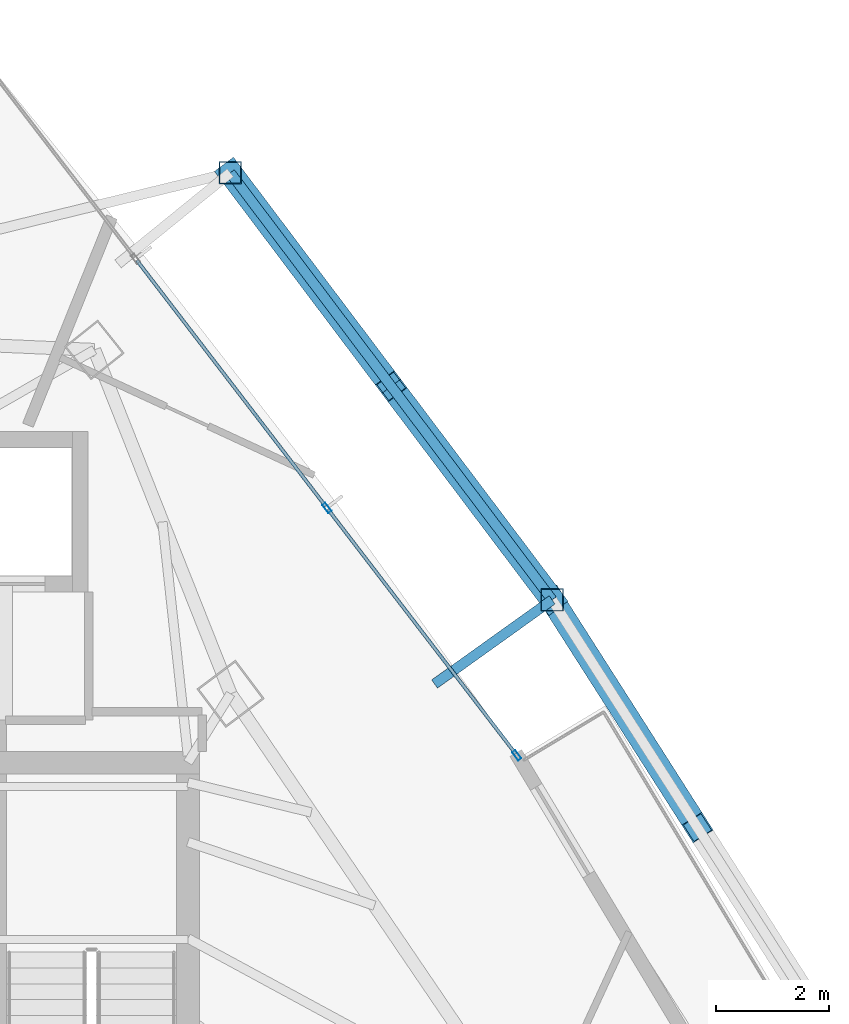
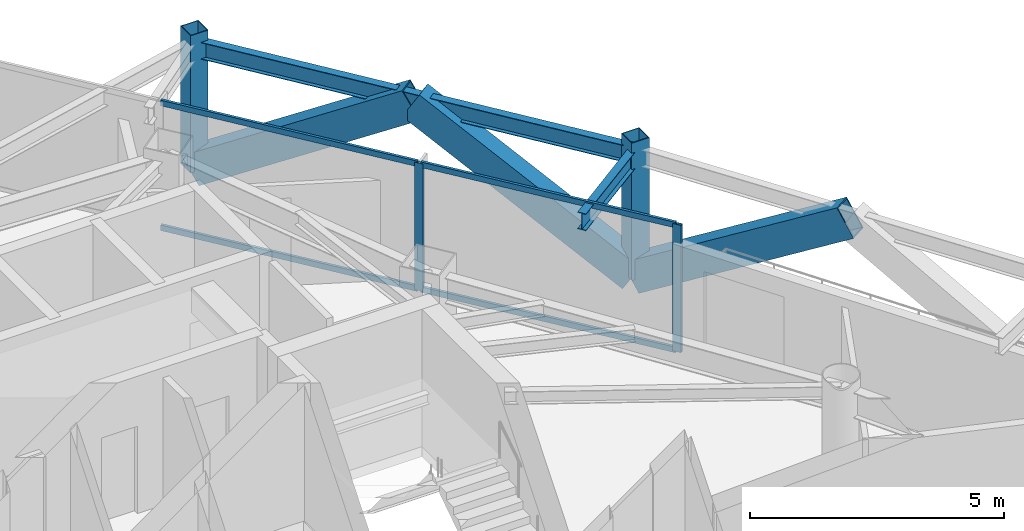
# One storey, part 25 of 31: 11 members, 2 beams, 1 element without a shape of its own.
"""IFC4 building model written with IfcOpenShell, lengths in metres."""

from ifc_helpers import new_model, si_unit, direction, frame, origin, origin_2d, place, context, subcontext, project, spatial, hollow_rectangle, i_section, extrude, material, layer, layer_set, material_profile, profile_set, type_object, element, aggregate, save


model = new_model("IFC4")

# Units and contexts
model_context = context("Model", 3, precision=1e-05, world=origin(), true_north=direction((0.0, 1.0)))
body_context = subcontext(model_context, "Body", "Model", "MODEL_VIEW")
ifc_project = project(units=[si_unit("LENGTHUNIT", "METRE"), si_unit("AREAUNIT", "SQUARE_METRE"), si_unit("VOLUMEUNIT", "CUBIC_METRE"), si_unit("PLANEANGLEUNIT", "RADIAN"), si_unit("MASSUNIT", "GRAM", prefix="KILO")], contexts=[model_context])

# Site, building, storey
site_placement = place(None, origin())
site = spatial("IfcSite", under=ifc_project, at=site_placement, CompositionType="ELEMENT")
building_placement = place(site_placement, origin())
building = spatial("IfcBuilding", under=site, at=building_placement, Name="Orvanel Arch Residences", CompositionType="ELEMENT")
storey_placement = place(building_placement, frame((0.0, 0.0, 150.64990234375)))
storey = spatial("IfcBuildingStorey", under=building, at=storey_placement, Name="L42", CompositionType="ELEMENT", Elevation=150.64990234375)

# Members
ifc_material_1 = material(Name="Structural steel AS/NZS 3678 Grade 350", Category="steel")
ifc_material_profile_1 = material_profile(ifc_material_1, hollow_rectangle(XDim=0.419921875, YDim=0.719970703125, WallThickness=0.02490234375, at=origin_2d()), Name="RHS720x420x25")
ifc_profile_set_1 = profile_set([ifc_material_profile_1], Name="Structural steel AS/NZS 3678 Grade 350")
member_type_1 = type_object("IfcMemberType", Name="BR-720RHS-EXT", PredefinedType="BRACE", material=ifc_profile_set_1)
member_1_placement = place(storey_placement, frame((46.02294921875, 36.77001953125, 0.0), z_axis=(0.461357757736, -0.722931521695, 0.51431413972), x_axis=(0.842968687268, 0.537962630938, 0.0)))
element("IfcMember", 1, at=member_1_placement, inside=storey, type_object=member_type_1, Name="L42 Exterior Sky-Garden V-Frame Chevron F3B2.2", PredefinedType="BRACE", context=body_context, shape_type="SweptSolid", body=[
    extrude(hollow_rectangle(XDim=0.419921875, YDim=0.719970703125, WallThickness=0.02490234375, at=origin_2d()), origin(), (0.0, 0.0, 1.0), 5.555419921875),
])
member_2_placement = place(storey_placement, frame((46.02294921875, 36.77001953125, 0.0), z_axis=(-0.51471522854, 0.683024982813, 0.518213379181), x_axis=(-0.798624840007, -0.601829182512, 0.0)))
element("IfcMember", 2, at=member_2_placement, inside=storey, type_object=member_type_1, Name="L42 Exterior Sky-Garden V-Frame Chevron F3B3.1", PredefinedType="BRACE", context=body_context, shape_type="SweptSolid", body=[
    extrude(hollow_rectangle(XDim=0.419921875, YDim=0.719970703125, WallThickness=0.02490234375, at=origin_2d()), origin(), (0.0, 0.0, 1.0), 5.513427734375),
])
member_3_placement = place(storey_placement, frame((40.346923828125, 44.302001953125, 0.0), z_axis=(0.514732209098, -0.683033037209, 0.518185896179), x_axis=(0.798618708351, 0.601837319109, 0.0)))
element("IfcMember", 3, at=member_3_placement, inside=storey, type_object=member_type_1, Name="L42 Exterior Sky-Garden V-Frame Chevron F3B3.2", PredefinedType="BRACE", context=body_context, shape_type="SweptSolid", body=[
    extrude(hollow_rectangle(XDim=0.419921875, YDim=0.719970703125, WallThickness=0.02490234375, at=origin_2d()), origin(), (0.0, 0.0, 1.0), 5.513916015625),
])

# Curtain wall, members
ifc_material_2 = material(Name="Bronze-anodised aluminium AA6063-T6", Category="aluminium")
ifc_layer = layer(ifc_material_2, 0.179931640625)
ifc_layer_set = layer_set([ifc_layer], Name="Bronze-anodised aluminium AA6063-T6")
curtain_wall_type = type_object("IfcCurtainWallType", Name="CW3-MID-SYS", PredefinedType="NOTDEFINED", material=ifc_layer_set)
curtain_wall_placement = place(storey_placement, origin())
curtain_wall = element("IfcCurtainWall", 4, at=curtain_wall_placement, inside=storey, type_object=curtain_wall_type, Name="L42 CW3-MID-SYS Unitised Curtain Wall", PredefinedType="NOTDEFINED")
ifc_material_profile_2 = material_profile(ifc_material_2, hollow_rectangle(XDim=0.070068359375, YDim=0.179931640625, WallThickness=0.00439453125, at=origin_2d()), Name="ALU180x70x4.5")
ifc_profile_set_2 = profile_set([ifc_material_profile_2], Name="Bronze-anodised aluminium AA6063-T6")
member_type_2 = type_object("IfcMemberType", Name="MUL-180x70", PredefinedType="MULLION", material=ifc_profile_set_2)
member_4_placement = place(storey_placement, frame((45.399658203125, 34.02880859375, 0.0), z_axis=(0.0, 0.0, 1.0), x_axis=(-0.793223434489, -0.608930688155, 0.0)))
member_4 = element("IfcMember", 5, at=member_4_placement, type_object=member_type_2, Name="CW-S3 mullion 1", PredefinedType="MULLION", context=body_context, shape_type="SweptSolid", body=[
    extrude(hollow_rectangle(XDim=0.070068359375, YDim=0.179931640625, WallThickness=0.00439453125, at=origin_2d()), origin(), (0.0, 0.0, 1.0), 3.06005859375),
])
member_5_placement = place(storey_placement, frame((42.049560546875, 38.392578125, 0.0), z_axis=(0.0, 0.0, 1.0), x_axis=(-0.793223434489, -0.608930688155, 0.0)))
member_5 = element("IfcMember", 6, at=member_5_placement, type_object=member_type_2, Name="CW-S3 mullion 2", PredefinedType="MULLION", context=body_context, shape_type="SweptSolid", body=[
    extrude(hollow_rectangle(XDim=0.070068359375, YDim=0.179931640625, WallThickness=0.00439453125, at=origin_2d()), origin(), (0.0, 0.0, 1.0), 3.06005859375),
])

# Beams
ifc_material_3 = material(Name="Structural steel AS/NZS 3679.1 Grade 300 (300 MPa)", Category="steel")
ifc_material_profile_3 = material_profile(ifc_material_3, i_section(OverallWidth=0.177978515625, OverallDepth=0.406005859375, WebThickness=0.0078125, FlangeThickness=0.0126953125, at=origin_2d()), Name="410UB59.7")
ifc_profile_set_3 = profile_set([ifc_material_profile_3], Name="Structural steel AS/NZS 3679.1 Grade 300 (300 MPa)")
beam_type = type_object("IfcBeamType", Name="OB-410UB-EXT", PredefinedType="SPANDREL", material=ifc_profile_set_3)
beam_1_placement = place(storey_placement, frame((43.948974609375, 35.285888671875, 2.857177734375), z_axis=(0.813228640258, 0.581944308903, 0.0), x_axis=(-0.581944308903, 0.813228640258, 0.0)))
element("IfcBeam", 7, at=beam_1_placement, inside=storey, type_object=beam_type, Name="L42 Outer Frame Radial Tie Beam 11", PredefinedType="SPANDREL", context=body_context, shape_type="SweptSolid", body=[
    extrude(i_section(OverallWidth=0.177978515625, OverallDepth=0.406005859375, WebThickness=0.0078125, FlangeThickness=0.0126953125, at=origin_2d()), origin(), (0.0, 0.0, 1.0), 2.55029296875),
])
beam_2_placement = place(storey_placement, frame((46.02294921875, 36.77001953125, 2.857177734375), z_axis=(-0.601833250966, 0.798621774078, 0.0), x_axis=(-0.798621774078, -0.601833250966, 0.0)))
element("IfcBeam", 8, at=beam_2_placement, inside=storey, type_object=beam_type, Name="L42 Outer Perimeter Floor Ring Beam 11", PredefinedType="SPANDREL", context=body_context, shape_type="SweptSolid", body=[
    extrude(i_section(OverallWidth=0.177978515625, OverallDepth=0.406005859375, WebThickness=0.0078125, FlangeThickness=0.0126953125, at=origin_2d()), origin(), (0.0, 0.0, 1.0), 9.43115234375),
])

# Members
ifc_material_4 = material(Name="Structural steel AS/NZS 1163 C450L0 (Grade 450)", Category="steel")
ifc_material_profile_4 = material_profile(ifc_material_4, hollow_rectangle(XDim=0.39990234375, YDim=0.39990234375, WallThickness=0.01611328125, at=origin_2d()), Name="SHS400x400x16")
ifc_profile_set_4 = profile_set([ifc_material_profile_4], Name="Structural steel AS/NZS 1163 C450L0 (Grade 450)")
member_type_3 = type_object("IfcMemberType", Name="ST-400SHS-EXT", PredefinedType="STRUT", material=ifc_profile_set_4)
for number, where, z_axis, x_axis, name in (
    (9, (46.02294921875, 36.77001953125, 0.0), (0.0, 0.0, 1.0), (1.0, 0.0, 0.0), "L42 Outer Perimeter Frame Post 11"),
    (10, (40.346923828125, 44.302001953125, 0.0), (0.0, 0.0, 1.0), (1.0, 0.0, 0.0), "L42 Outer Perimeter Frame Post 12"),
):
    element("IfcMember", number, at=place(storey_placement, frame(where, z_axis=z_axis, x_axis=x_axis)), inside=storey, type_object=member_type_3, Name=name, PredefinedType="STRUT", context=body_context, shape_type="SweptSolid", body=[
        extrude(hollow_rectangle(XDim=0.39990234375, YDim=0.39990234375, WallThickness=0.01611328125, at=origin_2d()), origin(), (0.0, 0.0, 1.0), 3.300048828125),
    ])

# Member
ifc_material_profile_5 = material_profile(ifc_material_2, hollow_rectangle(XDim=0.06005859375, YDim=0.135009765625, WallThickness=0.00390625, at=origin_2d()), Name="ALU135x60x4")
ifc_profile_set_5 = profile_set([ifc_material_profile_5], Name="Bronze-anodised aluminium AA6063-T6")
member_type_4 = type_object("IfcMemberType", Name="TRN-135x60", PredefinedType="USERDEFINED", material=ifc_profile_set_5)
member_6_placement = place(storey_placement, frame((45.37841796875, 34.056640625, 0.030029296875), z_axis=(-0.608930617314, 0.793223488871, 0.0), x_axis=(-0.793223488871, -0.608930617314, 0.0)))
member_6 = element("IfcMember", 11, at=member_6_placement, type_object=member_type_4, Name="CW-S3 transom 1.1", ObjectType="TRANSOM", PredefinedType="USERDEFINED", context=body_context, shape_type="SweptSolid", body=[
    extrude(hollow_rectangle(XDim=0.06005859375, YDim=0.135009765625, WallThickness=0.00390625, at=origin_2d()), origin(), (0.0, 0.0, 1.0), 5.431396484375),
])

member_7_placement = place(storey_placement, frame((45.37841796875, 34.056640625, 3.030029296875), z_axis=(-0.608930617314, 0.793223488871, 0.0), x_axis=(-0.793223488871, -0.608930617314, 0.0)))
member_7 = element("IfcMember", 12, at=member_7_placement, type_object=member_type_4, Name="CW-S3 transom 1.2", ObjectType="TRANSOM", PredefinedType="USERDEFINED", context=body_context, shape_type="SweptSolid", body=[
    extrude(hollow_rectangle(XDim=0.06005859375, YDim=0.135009765625, WallThickness=0.00390625, at=origin_2d()), origin(), (0.0, 0.0, 1.0), 5.431396484375),
])

member_8_placement = place(storey_placement, frame((42.0283203125, 38.42041015625, 0.030029296875), z_axis=(-0.608916175661, 0.793234575027, 0.0), x_axis=(-0.793234575027, -0.608916175661, 0.0)))
member_8 = element("IfcMember", 13, at=member_8_placement, type_object=member_type_4, Name="CW-S3 transom 2.1", ObjectType="TRANSOM", PredefinedType="USERDEFINED", context=body_context, shape_type="SweptSolid", body=[
    extrude(hollow_rectangle(XDim=0.06005859375, YDim=0.135009765625, WallThickness=0.00390625, at=origin_2d()), origin(), (0.0, 0.0, 1.0), 5.466552734375),
])

member_9_placement = place(storey_placement, frame((42.0283203125, 38.42041015625, 3.030029296875), z_axis=(-0.608916175661, 0.793234575027, 0.0), x_axis=(-0.793234575027, -0.608916175661, 0.0)))
member_9 = element("IfcMember", 14, at=member_9_placement, type_object=member_type_4, Name="CW-S3 transom 2.2", ObjectType="TRANSOM", PredefinedType="USERDEFINED", context=body_context, shape_type="SweptSolid", body=[
    extrude(hollow_rectangle(XDim=0.06005859375, YDim=0.135009765625, WallThickness=0.00390625, at=origin_2d()), origin(), (0.0, 0.0, 1.0), 5.466552734375),
])

aggregate(curtain_wall, [member_4, member_5, member_6, member_7, member_8, member_9])

save(model, "model.ifc")
